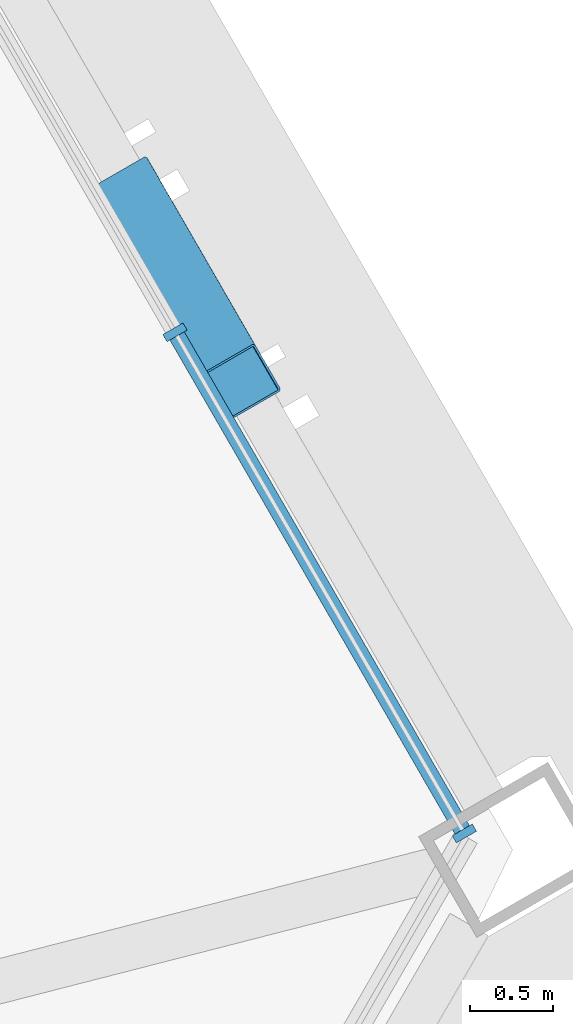
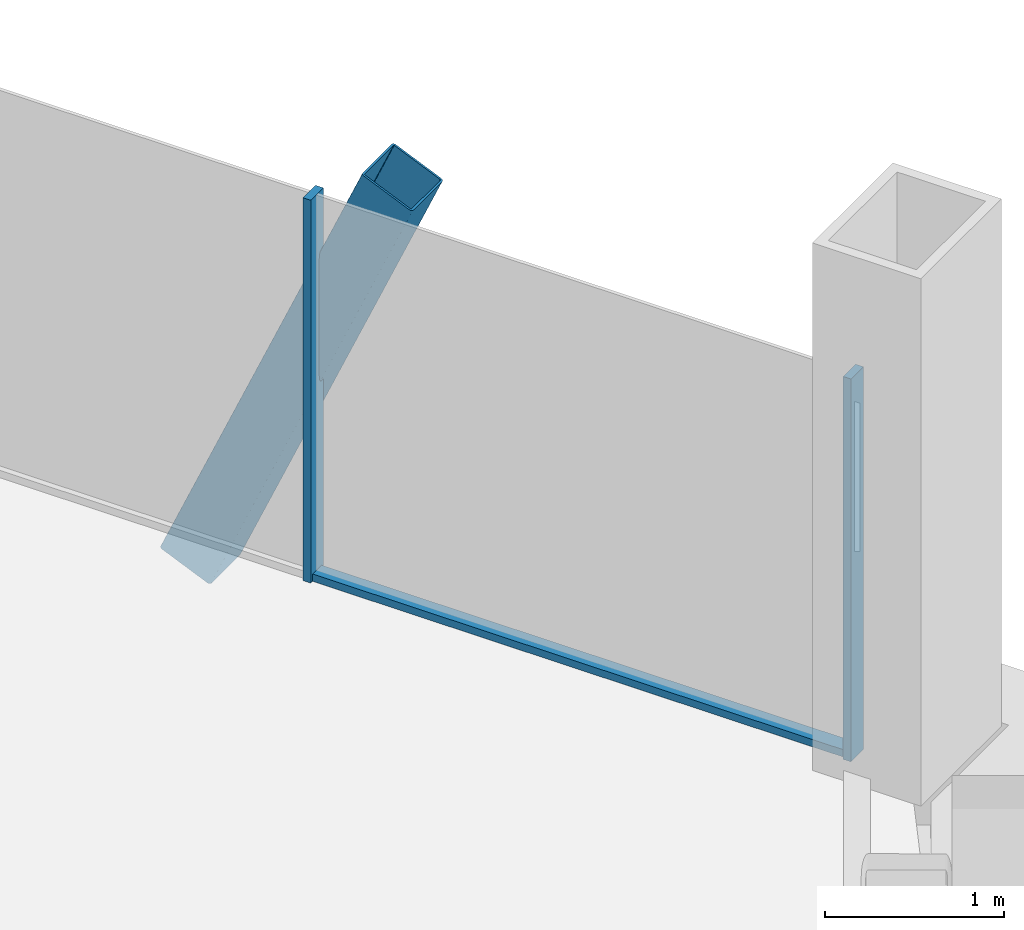
# One storey, part 7 of 17: 4 members, 1 element without a shape of its own.
"""IFC4 building model written with IfcOpenShell, lengths in metres."""

from ifc_helpers import new_model, si_unit, direction, frame, origin, origin_2d, place, context, subcontext, project, spatial, rectangle, hollow_rectangle, extrude, material, material_profile, profile_set, type_object, element, aggregate, save


model = new_model("IFC4")

# Units and contexts
model_context = context("Model", 3, precision=1e-05, world=origin(), true_north=direction((0.0, 1.0)))
body_context = subcontext(model_context, "Body", "Model", "MODEL_VIEW")
ifc_project = project(units=[si_unit("LENGTHUNIT", "METRE"), si_unit("AREAUNIT", "SQUARE_METRE"), si_unit("VOLUMEUNIT", "CUBIC_METRE"), si_unit("PLANEANGLEUNIT", "RADIAN"), si_unit("MASSUNIT", "GRAM", prefix="KILO")], contexts=[model_context])

# Site, building, storey
site_placement = place(None, origin())
site = spatial("IfcSite", under=ifc_project, at=site_placement, CompositionType="ELEMENT")
building_placement = place(site_placement, origin())
building = spatial("IfcBuilding", under=site, at=building_placement, Name="Verrane Prism Tower", CompositionType="ELEMENT")
storey_placement = place(building_placement, frame((0.0, 0.0, 51.199951171875)))
storey = spatial("IfcBuildingStorey", under=building, at=storey_placement, Name="L10", CompositionType="ELEMENT", Elevation=51.199951171875)

# Member
ifc_material_1 = material(Name="Steel A500 Grade C", Category="steel")
ifc_material_profile_1 = material_profile(ifc_material_1, hollow_rectangle(XDim=0.355712890625, YDim=0.355712890625, WallThickness=0.0126953125, InnerFilletRadius=0.00634765625, OuterFilletRadius=0.01904296875, at=origin_2d()), Name="HSS14x14x1/2")
ifc_profile_set_1 = profile_set([ifc_material_profile_1], Name="Steel A500 Grade C")
member_type_1 = type_object("IfcMemberType", Name="Chamfer brace HSS14x14x1/2", PredefinedType="BRACE", material=ifc_profile_set_1)
member_1_placement = place(storey_placement, frame((28.740478515625, 15.54052734375, -0.2451171875), z_axis=(0.199091567031, -0.34501748339, 0.917237964812), x_axis=(0.866138836121, 0.499803477943, 0.0)))
element("IfcMember", 1, at=member_1_placement, inside=storey, type_object=member_type_1, Name="Chamfer brace NE0 L10", PredefinedType="BRACE", context=body_context, shape_type="SweptSolid", body=[
    extrude(hollow_rectangle(XDim=0.355712890625, YDim=0.355712890625, WallThickness=0.0126953125, InnerFilletRadius=0.00634765625, OuterFilletRadius=0.01904296875, at=origin_2d()), origin(), (0.0, 0.0, 1.0), 3.274169921875),
])

# Curtain wall, members
ifc_material_2 = material(Name="Aluminium framed insulated glazing", Category="aluminium")
curtain_wall_type = type_object("IfcCurtainWallType", Name="Curtain wall CW-C 4200 module", PredefinedType="NOTDEFINED", material=ifc_material_2)
curtain_wall_placement = place(storey_placement, origin())
curtain_wall = element("IfcCurtainWall", 2, at=curtain_wall_placement, inside=storey, type_object=curtain_wall_type, Name="Glazed curtain wall north-east corner L10", PredefinedType="NOTDEFINED")
ifc_material_3 = material(Name="Aluminium alloy 6063-T6", Category="aluminium")
ifc_material_profile_2 = material_profile(ifc_material_3, rectangle(XDim=0.139892578125, YDim=0.050048828125, at=origin_2d()), Name="Mullion 50x140 aluminium")
ifc_profile_set_2 = profile_set([ifc_material_profile_2], Name="Aluminium alloy 6063-T6")
member_type_2 = type_object("IfcMemberType", Name="Mullion 50x140 aluminium", PredefinedType="MULLION", material=ifc_profile_set_2)
member_2_placement = place(storey_placement, frame((30.730712890625, 11.688232421875, 0.0), z_axis=(0.0, 0.0, 1.0), x_axis=(-0.866026104978, -0.499998785495, 0.0)))
member_2 = element("IfcMember", 3, at=member_2_placement, type_object=member_type_2, Name="CW09.1 mullion 1", PredefinedType="MULLION", context=body_context, shape_type="SweptSolid", body=[
    extrude(rectangle(XDim=0.139892578125, YDim=0.050048828125, at=origin_2d()), origin(), (0.0, 0.0, 1.0), 2.613037109375),
])
member_3_placement = place(storey_placement, frame((28.987060546875, 14.708251953125, 0.0), z_axis=(0.0, 0.0, 1.0), x_axis=(-0.866026104978, -0.499998785495, 0.0)))
member_3 = element("IfcMember", 4, at=member_3_placement, type_object=member_type_2, Name="CW09.1 mullion 2", PredefinedType="MULLION", context=body_context, shape_type="SweptSolid", body=[
    extrude(rectangle(XDim=0.139892578125, YDim=0.050048828125, at=origin_2d()), origin(), (0.0, 0.0, 1.0), 2.613037109375),
])
ifc_material_4 = material(Name="Aluminium alloy 6063-T6", Category="aluminium")
ifc_material_profile_3 = material_profile(ifc_material_4, rectangle(XDim=0.10009765625, YDim=0.050048828125, at=origin_2d()), Name="Transom 50x100 aluminium")
ifc_profile_set_3 = profile_set([ifc_material_profile_3], Name="Aluminium alloy 6063-T6")
member_type_3 = type_object("IfcMemberType", Name="Transom 50x100 aluminium", PredefinedType="USERDEFINED", material=ifc_profile_set_3)
member_4_placement = place(storey_placement, frame((30.718017578125, 11.7099609375, 0.025146484375), z_axis=(-0.499997097509, 0.866027079532, 0.0), x_axis=(-0.866027079532, -0.499997097509, 0.0)))
member_4 = element("IfcMember", 5, at=member_4_placement, type_object=member_type_3, Name="CW09.1 transom 1", ObjectType="TRANSOM", PredefinedType="USERDEFINED", context=body_context, shape_type="SweptSolid", body=[
    extrude(rectangle(XDim=0.10009765625, YDim=0.050048828125, at=origin_2d()), origin(), (0.0, 0.0, 1.0), 3.43701171875),
])
aggregate(curtain_wall, [member_2, member_3, member_4])

save(model, "model.ifc")
